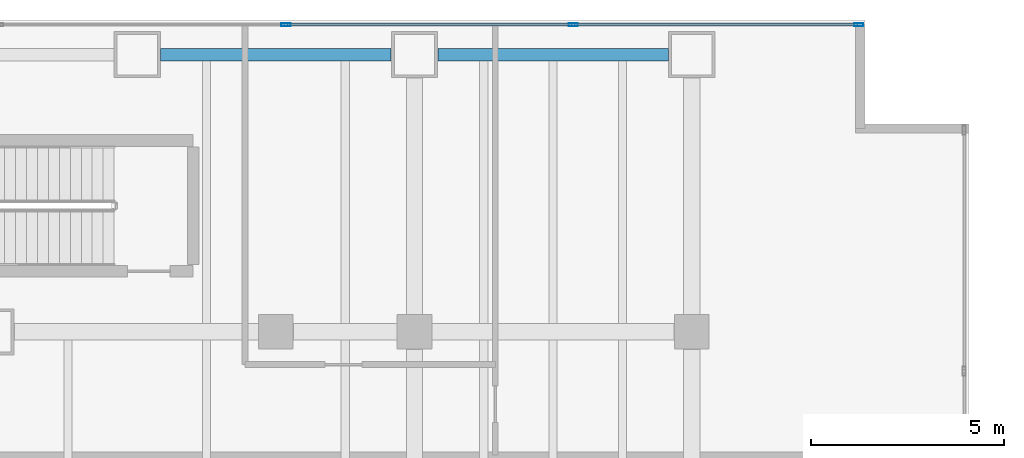
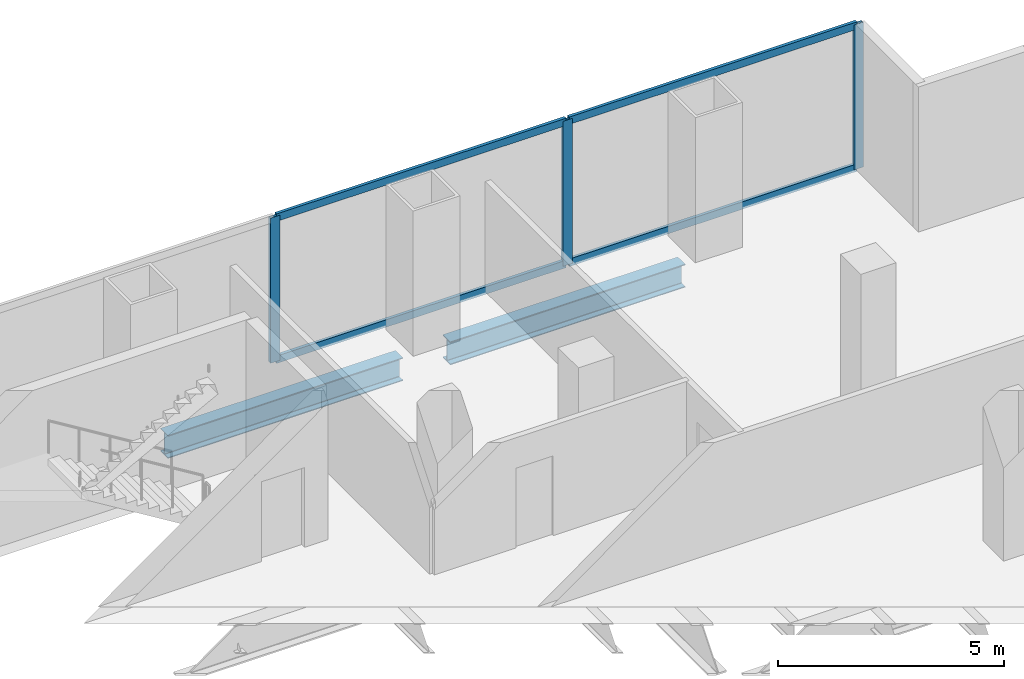
# One storey, part 15 of 29: 7 members, 2 beams, 1 element without a shape of its own.
"""IFC4 building model written with IfcOpenShell, lengths in metres."""

from ifc_helpers import new_model, si_unit, direction, frame, origin, origin_2d, place, context, subcontext, project, spatial, hollow_rectangle, i_section, extrude, material, material_profile, profile_set, type_object, element, aggregate, save


model = new_model("IFC4")

# Units and contexts
model_context = context("Model", 3, precision=1e-05, world=origin(), true_north=direction((0.0, 1.0)))
body_context = subcontext(model_context, "Body", "Model", "MODEL_VIEW")
ifc_project = project(units=[si_unit("LENGTHUNIT", "METRE"), si_unit("AREAUNIT", "SQUARE_METRE"), si_unit("VOLUMEUNIT", "CUBIC_METRE"), si_unit("PLANEANGLEUNIT", "RADIAN"), si_unit("MASSUNIT", "GRAM", prefix="KILO")], contexts=[model_context])

# Site, building, storey
site_placement = place(None, origin())
site = spatial("IfcSite", under=ifc_project, at=site_placement, CompositionType="ELEMENT")
building_placement = place(site_placement, origin())
building = spatial("IfcBuilding", under=site, at=building_placement, Name="Cobrela Telecom Tower", CompositionType="ELEMENT")
storey_placement = place(building_placement, frame((0.0, 0.0, 13.64990234375)))
storey = spatial("IfcBuildingStorey", under=building, at=storey_placement, Name="L03", CompositionType="ELEMENT", Elevation=13.64990234375)

# Beams
ifc_material_1 = material(Name="Steel ASTM A992 Grade 50", Category="steel")
ifc_material_profile_1 = material_profile(ifc_material_1, i_section(OverallWidth=0.327880859375, OverallDepth=0.6220703125, WebThickness=0.015380859375, FlangeThickness=0.0244140625, FilletRadius=0.014892578125, at=origin_2d()), Name="W24X131")
ifc_profile_set_1 = profile_set([ifc_material_profile_1], Name="Steel ASTM A992 Grade 50")
beam_type = type_object("IfcBeamType", Name="BM-SPAND-01", PredefinedType="SPANDREL", material=ifc_profile_set_1)
for number, where, z_axis, x_axis, name in (
    (1, (29.405029296875, 49.5, -0.61083984375), (1.0, 0.0, 0.0), (0.0, 1.0, 0.0), "L03 Perimeter Spandrel X54"),
    (2, (36.60498046875, 49.5, -0.61083984375), (1.0, 0.0, 0.0), (0.0, 1.0, 0.0), "L03 Perimeter Spandrel X55"),
):
    element("IfcBeam", number, at=place(storey_placement, frame(where, z_axis=z_axis, x_axis=x_axis)), inside=storey, type_object=beam_type, Name=name, PredefinedType="SPANDREL", context=body_context, shape_type="SweptSolid", body=[
        extrude(i_section(OverallWidth=0.327880859375, OverallDepth=0.6220703125, WebThickness=0.015380859375, FlangeThickness=0.0244140625, FilletRadius=0.014892578125, at=origin_2d()), origin(), (0.0, 0.0, 1.0), 5.989990234375),
    ])

# Curtain wall, members
ifc_material_2 = material(Name="Anodized Bronze Aluminium 6063-T6", Category="aluminium")
curtain_wall_type = type_object("IfcCurtainWallType", Name="CW-SYS-CONC", PredefinedType="USERDEFINED", material=ifc_material_2)
curtain_wall_placement = place(storey_placement, origin())
curtain_wall = element("IfcCurtainWall", 3, at=curtain_wall_placement, inside=storey, type_object=curtain_wall_type, Name="L03 Unitised Bronze Curtain Wall 07", ObjectType="UNITISED CURTAIN WALL", PredefinedType="USERDEFINED")
ifc_material_profile_2 = material_profile(ifc_material_2, hollow_rectangle(XDim=0.080078125, YDim=0.239990234375, WallThickness=0.0048828125, at=origin_2d()), Name="ALU 80x240x5")
ifc_profile_set_2 = profile_set([ifc_material_profile_2], Name="Anodized Bronze Aluminium 6063-T6")
member_type_1 = type_object("IfcMemberType", Name="CW-SYS-CONC-MUL", PredefinedType="MULLION", material=ifc_profile_set_2)
member_1_placement = place(storey_placement, frame((32.659912109375, 50.280029296875, 0.0), z_axis=(0.0, 0.0, 1.0), x_axis=(0.0, 1.0, 0.0)))
member_1 = element("IfcMember", 4, at=member_1_placement, type_object=member_type_1, Name="CW-CONC mullion 5", PredefinedType="MULLION", context=body_context, shape_type="SweptSolid", body=[
    extrude(hollow_rectangle(XDim=0.080078125, YDim=0.239990234375, WallThickness=0.0048828125, at=origin_2d()), origin(), (0.0, 0.0, 1.0), 3.91015625),
])
member_2_placement = place(storey_placement, frame((40.1201171875, 50.280029296875, 0.0), z_axis=(0.0, 0.0, 1.0), x_axis=(0.0, 1.0, 0.0)))
member_2 = element("IfcMember", 5, at=member_2_placement, type_object=member_type_1, Name="CW-CONC mullion 6", PredefinedType="MULLION", context=body_context, shape_type="SweptSolid", body=[
    extrude(hollow_rectangle(XDim=0.080078125, YDim=0.239990234375, WallThickness=0.0048828125, at=origin_2d()), origin(), (0.0, 0.0, 1.0), 3.91015625),
])
member_3_placement = place(storey_placement, frame((47.5400390625, 50.280029296875, 0.0), z_axis=(0.0, 0.0, 1.0), x_axis=(0.0, 1.0, 0.0)))
member_3 = element("IfcMember", 6, at=member_3_placement, type_object=member_type_1, Name="CW-CONC mullion 7", PredefinedType="MULLION", context=body_context, shape_type="SweptSolid", body=[
    extrude(hollow_rectangle(XDim=0.080078125, YDim=0.239990234375, WallThickness=0.0048828125, at=origin_2d()), origin(), (0.0, 0.0, 1.0), 3.91015625),
])
ifc_material_profile_3 = material_profile(ifc_material_2, hollow_rectangle(XDim=0.080078125, YDim=0.199951171875, WallThickness=0.00390625, at=origin_2d()), Name="ALU 80x200x4")
ifc_profile_set_3 = profile_set([ifc_material_profile_3], Name="Anodized Bronze Aluminium 6063-T6")
member_type_2 = type_object("IfcMemberType", Name="CW-SYS-CONC-TRN", PredefinedType="USERDEFINED", material=ifc_profile_set_3)
member_4_placement = place(storey_placement, frame((32.699951171875, 50.280029296875, 0.0400390625), z_axis=(1.0, 0.0, 0.0), x_axis=(0.0, 1.0, 0.0)))
member_4 = element("IfcMember", 7, at=member_4_placement, type_object=member_type_2, Name="CW-CONC transom 5.1", ObjectType="TRANSOM", PredefinedType="USERDEFINED", context=body_context, shape_type="SweptSolid", body=[
    extrude(hollow_rectangle(XDim=0.080078125, YDim=0.199951171875, WallThickness=0.00390625, at=origin_2d()), origin(), (0.0, 0.0, 1.0), 7.380126953125),
])
member_5_placement = place(storey_placement, frame((32.699951171875, 50.280029296875, 3.8701171875), z_axis=(1.0, 0.0, 0.0), x_axis=(0.0, 1.0, 0.0)))
member_5 = element("IfcMember", 8, at=member_5_placement, type_object=member_type_2, Name="CW-CONC transom 5.2", ObjectType="TRANSOM", PredefinedType="USERDEFINED", context=body_context, shape_type="SweptSolid", body=[
    extrude(hollow_rectangle(XDim=0.080078125, YDim=0.199951171875, WallThickness=0.00390625, at=origin_2d()), origin(), (0.0, 0.0, 1.0), 7.380126953125),
])
member_6_placement = place(storey_placement, frame((40.159912109375, 50.280029296875, 0.0400390625), z_axis=(1.0, 0.0, 0.0), x_axis=(0.0, 1.0, 0.0)))
member_6 = element("IfcMember", 9, at=member_6_placement, type_object=member_type_2, Name="CW-CONC transom 6.1", ObjectType="TRANSOM", PredefinedType="USERDEFINED", context=body_context, shape_type="SweptSolid", body=[
    extrude(hollow_rectangle(XDim=0.080078125, YDim=0.199951171875, WallThickness=0.00390625, at=origin_2d()), origin(), (0.0, 0.0, 1.0), 7.340087890625),
])
member_7_placement = place(storey_placement, frame((40.159912109375, 50.280029296875, 3.8701171875), z_axis=(1.0, 0.0, 0.0), x_axis=(0.0, 1.0, 0.0)))
member_7 = element("IfcMember", 10, at=member_7_placement, type_object=member_type_2, Name="CW-CONC transom 6.2", ObjectType="TRANSOM", PredefinedType="USERDEFINED", context=body_context, shape_type="SweptSolid", body=[
    extrude(hollow_rectangle(XDim=0.080078125, YDim=0.199951171875, WallThickness=0.00390625, at=origin_2d()), origin(), (0.0, 0.0, 1.0), 7.340087890625),
])
aggregate(curtain_wall, [member_1, member_2, member_3, member_4, member_5, member_6, member_7])

save(model, "model.ifc")
